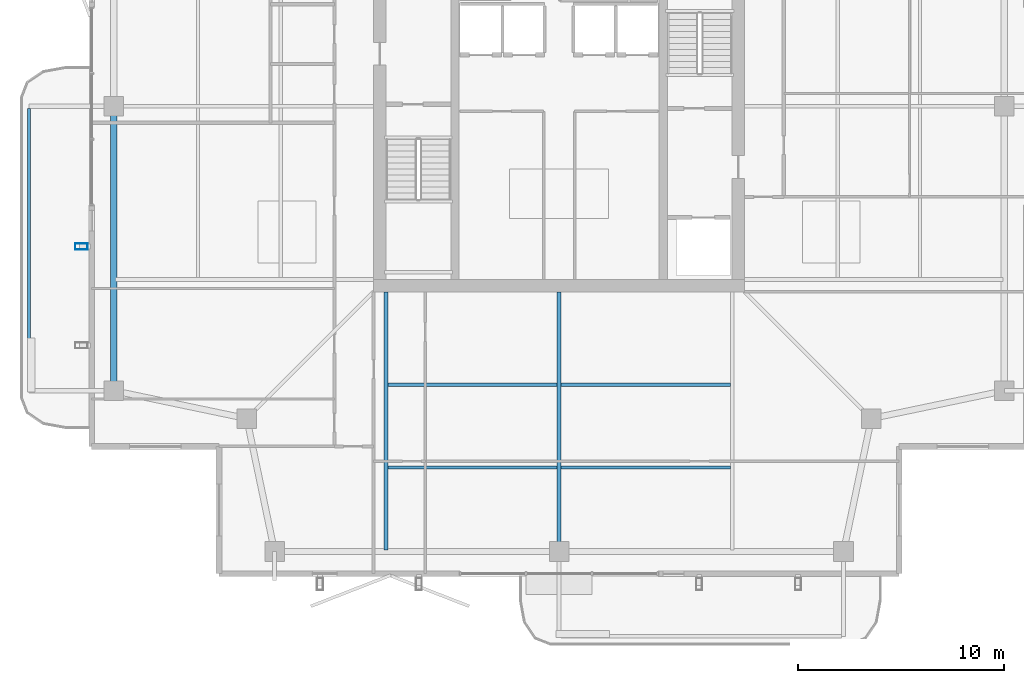
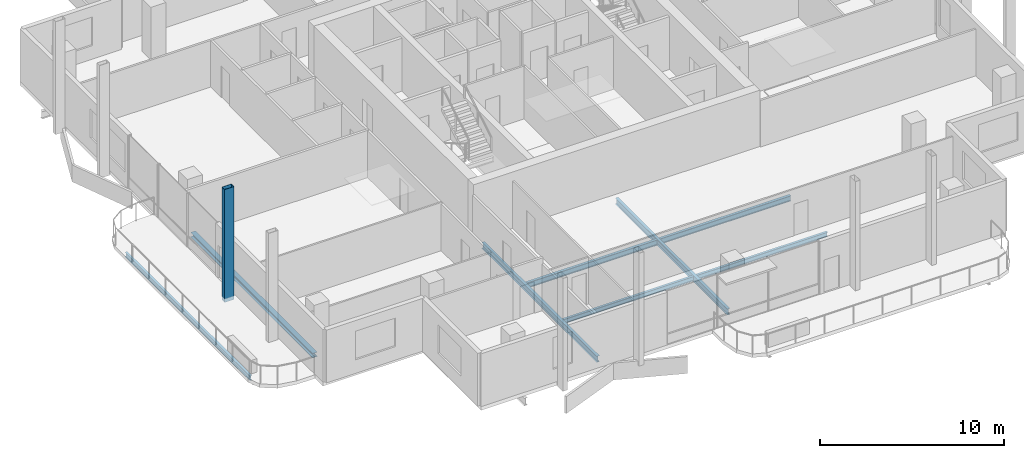
# One storey, part 5 of 20: 8 beams, 1 member.
"""IFC4 building model written with IfcOpenShell, lengths in metres."""

import ifcopenshell
import ifcopenshell.guid

model = None  # the IFC model being written
_history = None  # IfcOwnerHistory: only IFC2X3 demands one
_inside = {}  # id of a spatial element -> (the spatial element, [elements in it])
_under = {}  # id of a project, library or spatial element -> (it, [spatial elements below it])
_declared = {}  # id of a project -> (the project, [libraries it declares])
_typed = {}  # id of a type object -> (the type object, [elements of that type])
_made_of = {}  # id of a material, layer set ... -> (it, [elements and type objects made of it])


def new_model(schema):
    """Start an empty IFC model of exactly this schema.

    Asked for "IFC4X3", IfcOpenShell would pick the latest addendum, in which some entities
    have other attributes; the version numbers below select the first issue.
    IFC2X3 requires an IfcOwnerHistory on every rooted entity: one is made here for all.
    """
    global model, _history
    if schema == "IFC4X3":
        model = ifcopenshell.file(schema_version=(4, 3, 0, 0))
    else:
        model = ifcopenshell.file(schema=schema)
    _inside.clear()
    _under.clear()
    _declared.clear()
    _typed.clear()
    _made_of.clear()
    _history = None
    if model.schema == "IFC2X3":
        org = make("IfcOrganization", Name="unknown")
        user = make(
            "IfcPersonAndOrganization",
            ThePerson=make("IfcPerson", FamilyName="unknown"),
            TheOrganization=org,
        )
        app = make(
            "IfcApplication",
            ApplicationDeveloper=org,
            Version="unknown",
            ApplicationFullName="unknown",
            ApplicationIdentifier="unknown",
        )
        _history = make(
            "IfcOwnerHistory",
            OwningUser=user,
            OwningApplication=app,
            ChangeAction="ADDED",
            CreationDate=0,
        )
    return model


def make(cls, **values):
    """One entity of the class cls with the attributes given. An attribute that is None is left unset."""
    return model.create_entity(
        cls, **{name: value for name, value in values.items() if value is not None}
    )


def rooted(cls, **values):
    """An entity with a GlobalId (a new one), such as an element, a storey or a relation."""
    return make(cls, GlobalId=ifcopenshell.guid.new(), OwnerHistory=_history, **values)


def si_unit(unit_type, name, prefix=None):
    """IfcSIUnit, for example si_unit("LENGTHUNIT", "METRE", prefix="MILLI")."""
    return make("IfcSIUnit", UnitType=unit_type, Prefix=prefix, Name=name)


def assignment(units):
    """IfcUnitAssignment: the units of a project."""
    return None if units is None else make("IfcUnitAssignment", Units=units)


def point(xyz):
    """IfcCartesianPoint."""
    return None if xyz is None else make("IfcCartesianPoint", Coordinates=xyz)


def direction(xyz):
    """IfcDirection."""
    return None if xyz is None else make("IfcDirection", DirectionRatios=xyz)


def frame(location, z_axis=None, x_axis=None):
    """IfcAxis2Placement3D, a coordinate frame: its origin and axes. An axis left out is left unset."""
    return make(
        "IfcAxis2Placement3D",
        Location=point(location),
        Axis=direction(z_axis),
        RefDirection=direction(x_axis),
    )


def frame_2d(location, x_axis=None):
    """IfcAxis2Placement2D, a coordinate frame in the plane: its origin and x axis."""
    return make(
        "IfcAxis2Placement2D", Location=point(location), RefDirection=direction(x_axis)
    )


def origin():
    """The frame at (0, 0, 0) with its axes left unset."""
    return frame((0.0, 0.0, 0.0))


def origin_2d():
    """The frame at (0, 0) in the plane with its x axis left unset."""
    return frame_2d((0.0, 0.0))


def place(relative_to, where):
    """IfcLocalPlacement: puts the frame where relative to a parent placement (None: the world)."""
    return make(
        "IfcLocalPlacement", PlacementRelTo=relative_to, RelativePlacement=where
    )


def context(
    kind, dimensions, precision=None, world=None, true_north=None, identifier=None
):
    """IfcGeometricRepresentationContext, for example the 3D "Model" context."""
    return make(
        "IfcGeometricRepresentationContext",
        ContextIdentifier=identifier,
        ContextType=kind,
        CoordinateSpaceDimension=dimensions,
        Precision=precision,
        WorldCoordinateSystem=world,
        TrueNorth=true_north,
    )


def subcontext(parent, identifier, kind, view, scale=None):
    """IfcGeometricRepresentationSubContext, for example "Body" below "Model"."""
    return make(
        "IfcGeometricRepresentationSubContext",
        ContextIdentifier=identifier,
        ContextType=kind,
        ParentContext=parent,
        TargetScale=scale,
        TargetView=view,
    )


def project(units=None, contexts=None):
    """IfcProject with its units and contexts."""
    return rooted(
        "IfcProject",
        Name="project",
        RepresentationContexts=contexts,
        UnitsInContext=assignment(units),
    )


def spatial(cls, under=None, at=None, **own):
    """A site, building, storey or space (cls), placed at a placement, below another one or the project."""
    s = rooted(cls, ObjectPlacement=at, **own)
    if under is not None:
        _under.setdefault(under.id(), (under, []))[1].append(s)
    return s


def profile(cls, at=None, kind="AREA", **sizes):
    """A parametric profile (cls). Its sizes go by their IFC names, for example OverallWidth=200.0."""
    return make(cls, ProfileType=kind, Position=at, **sizes)


def hollow_rectangle(**sizes):
    """IfcRectangleHollowProfileDef."""
    return profile("IfcRectangleHollowProfileDef", **sizes)


def i_section(**sizes):
    """IfcIShapeProfileDef."""
    return profile("IfcIShapeProfileDef", **sizes)


def extrude(swept, where, along, depth):
    """IfcExtrudedAreaSolid: the profile swept, set in the frame where, extruded along a direction by depth."""
    return make(
        "IfcExtrudedAreaSolid",
        SweptArea=swept,
        Position=where,
        ExtrudedDirection=direction(along),
        Depth=depth,
    )


def shape(context_of_items, identifier, shape_type, items):
    """IfcShapeRepresentation: the items that make up one representation, for example the "Body"."""
    return make(
        "IfcShapeRepresentation",
        ContextOfItems=context_of_items,
        RepresentationIdentifier=identifier,
        RepresentationType=shape_type,
        Items=items,
    )


def material(Name=None, Category=None):
    """IfcMaterial."""
    return make("IfcMaterial", Name=Name, Category=Category)


def material_profile(
    of_material, cross_section, Name=None, Category=None, Priority=None
):
    """IfcMaterialProfile: a cross section and its material."""
    return make(
        "IfcMaterialProfile",
        Name=Name,
        Material=of_material,
        Profile=cross_section,
        Priority=Priority,
        Category=Category,
    )


def profile_set(profiles, Name=None, composite=None):
    """IfcMaterialProfileSet."""
    return make(
        "IfcMaterialProfileSet",
        Name=Name,
        MaterialProfiles=profiles,
        CompositeProfile=composite,
    )


def made_of(thing, what):
    """Note that an element or type object is made of a material, layer set ...; save() writes the relation."""
    if what is not None:
        _made_of.setdefault(what.id(), (what, []))[1].append(thing)
    return thing


def type_object(cls, material=None, **own):
    """A type object (cls), such as IfcWallType, which elements share."""
    return made_of(rooted(cls, **own), material)


def element(
    cls,
    number,
    at=None,
    inside=None,
    cuts=None,
    type_object=None,
    material=None,
    context=None,
    identifier="Body",
    shape_type=None,
    held_by="IfcProductDefinitionShape",
    body=None,
    shapes=None,
    **own,
):
    """One element of the class cls, such as IfcWall. Its Tag is "e" and its number.

    at: its placement. inside: the storey or other place that contains it. cuts: it is an
    opening in that element (IfcRelVoidsElement). A single representation is given by context,
    identifier, shape_type and body (its items); several are given by shapes. held_by: the class
    of the entity that holds the representations. save() writes the other relations.
    """
    e = rooted(cls, Tag="e%d" % number, ObjectPlacement=at, **own)
    if body is not None:
        shapes = [shape(context, identifier, shape_type, body)]
    if shapes is not None:
        e.Representation = make(held_by, Representations=shapes)
    if inside is not None:
        _inside.setdefault(inside.id(), (inside, []))[1].append(e)
    if cuts is not None:
        rooted(
            "IfcRelVoidsElement", RelatingBuildingElement=cuts, RelatedOpeningElement=e
        )
    if type_object is not None:
        _typed.setdefault(type_object.id(), (type_object, []))[1].append(e)
    return made_of(e, material)


def aggregate(whole, parts):
    """IfcRelAggregates: a whole, such as a stair, and the parts it consists of."""
    return rooted("IfcRelAggregates", RelatingObject=whole, RelatedObjects=parts)


def save(model, path):
    """Write the relations noted so far, then the file.

    IfcRelAggregates (storeys below a building ...), IfcRelContainedInSpatialStructure (elements
    in a storey), IfcRelDefinesByType, IfcRelAssociatesMaterial and IfcRelDeclares: one each for
    every whole, place, type object, material and project.
    """
    for whole, parts in _under.values():
        aggregate(whole, parts)
    for where, things in _inside.values():
        rooted(
            "IfcRelContainedInSpatialStructure",
            RelatedElements=things,
            RelatingStructure=where,
        )
    for kind, things in _typed.values():
        rooted("IfcRelDefinesByType", RelatedObjects=things, RelatingType=kind)
    for what, things in _made_of.values():
        rooted("IfcRelAssociatesMaterial", RelatedObjects=things, RelatingMaterial=what)
    for by, libraries in _declared.values():
        rooted("IfcRelDeclares", RelatingContext=by, RelatedDefinitions=libraries)
    model.write(path)


model = new_model("IFC4")

# Units and contexts
model_context = context("Model", 3, precision=1e-05, world=origin(), true_north=direction((0.0, 1.0)))
body_context = subcontext(model_context, "Body", "Model", "MODEL_VIEW")
ifc_project = project(units=[si_unit("LENGTHUNIT", "METRE"), si_unit("AREAUNIT", "SQUARE_METRE"), si_unit("VOLUMEUNIT", "CUBIC_METRE"), si_unit("PLANEANGLEUNIT", "RADIAN"), si_unit("MASSUNIT", "GRAM", prefix="KILO")], contexts=[model_context])

# Site, building, storey
site_placement = place(None, origin())
site = spatial("IfcSite", under=ifc_project, at=site_placement, CompositionType="ELEMENT")
building_placement = place(site_placement, origin())
building = spatial("IfcBuilding", under=site, at=building_placement, Name="Belovzor Exchange Tower", CompositionType="ELEMENT")
storey_placement = place(building_placement, frame((0.0, 0.0, 306.75)))
storey = spatial("IfcBuildingStorey", under=building, at=storey_placement, Name="L76", CompositionType="ELEMENT", Elevation=306.75)

# Beams
ifc_material_1 = material(Name="Steel S355", Category="steel")
ifc_material_profile_1 = material_profile(ifc_material_1, i_section(OverallWidth=0.14990234375, OverallDepth=0.300048828125, WebThickness=0.007080078125, FlangeThickness=0.0107421875, at=origin_2d()))
ifc_profile_set_1 = profile_set([ifc_material_profile_1], Name="Steel S355")
beam_type_1 = type_object("IfcBeamType", Name="Planted Balcony Fascia Edge Beam IPE 300", PredefinedType="BEAM", material=ifc_profile_set_1)
beam_1_placement = place(storey_placement, frame((3.089111328125, 28.699951171875, -0.389892578125), z_axis=(0.0, -1.0, 0.0), x_axis=(1.0, 0.0, 0.0)))
element("IfcBeam", 1, at=beam_1_placement, inside=storey, type_object=beam_type_1, Name="BC-300 Planted Balcony Fascia Edge Beam IPE 300", PredefinedType="BEAM", context=body_context, shape_type="SweptSolid", body=[
    extrude(i_section(OverallWidth=0.14990234375, OverallDepth=0.300048828125, WebThickness=0.007080078125, FlangeThickness=0.0107421875, at=origin_2d()), origin(), (0.0, 0.0, 1.0), 13.599853515625),
])
ifc_material_2 = material(Name="Steel S355", Category="steel")
ifc_material_profile_2 = material_profile(ifc_material_2, i_section(OverallWidth=0.169921875, OverallDepth=0.360107421875, WebThickness=0.008056640625, FlangeThickness=0.0126953125, at=origin_2d()))
ifc_profile_set_2 = profile_set([ifc_material_profile_2], Name="Steel S355")
beam_type_2 = type_object("IfcBeamType", Name="Secondary Infill Floor Joist IPE 360", PredefinedType="BEAM", material=ifc_profile_set_2)
beam_2_placement = place(storey_placement, frame((20.489990234375, 15.291015625, -0.419921875), z_axis=(1.0, 0.0, 0.0), x_axis=(0.0, 1.0, 0.0)))
element("IfcBeam", 2, at=beam_2_placement, inside=storey, type_object=beam_type_2, Name="FJ-360 Secondary Infill Floor Joist IPE 360", PredefinedType="BEAM", context=body_context, shape_type="SweptSolid", body=[
    extrude(i_section(OverallWidth=0.169921875, OverallDepth=0.360107421875, WebThickness=0.008056640625, FlangeThickness=0.0126953125, at=origin_2d()), origin(), (0.0, 0.0, 1.0), 8.219970703125),
])
beam_3_placement = place(storey_placement, frame((28.889892578125, 15.291015625, -0.419921875), z_axis=(1.0, 0.0, 0.0), x_axis=(0.0, 1.0, 0.0)))
element("IfcBeam", 3, at=beam_3_placement, inside=storey, type_object=beam_type_2, Name="FJ-360 Secondary Infill Floor Joist IPE 360", PredefinedType="BEAM", context=body_context, shape_type="SweptSolid", body=[
    extrude(i_section(OverallWidth=0.169921875, OverallDepth=0.360107421875, WebThickness=0.008056640625, FlangeThickness=0.0126953125, at=origin_2d()), origin(), (0.0, 0.0, 1.0), 8.22021484375),
])
ifc_material_3 = material(Name="Steel S355", Category="steel")
ifc_material_profile_3 = material_profile(ifc_material_3, i_section(OverallWidth=0.14990234375, OverallDepth=0.300048828125, WebThickness=0.007080078125, FlangeThickness=0.0107421875, at=origin_2d()))
ifc_profile_set_3 = profile_set([ifc_material_profile_3], Name="Steel S355")
beam_type_3 = type_object("IfcBeamType", Name="Secondary Trim Floor Joist IPE 300", PredefinedType="BEAM", material=ifc_profile_set_3)
beam_4_placement = place(storey_placement, frame((20.489990234375, 11.282958984375, -0.389892578125), z_axis=(1.0, 0.0, 0.0), x_axis=(0.0, 1.0, 0.0)))
element("IfcBeam", 4, at=beam_4_placement, inside=storey, type_object=beam_type_3, Name="FJ-300 Secondary Trim Floor Joist IPE 300", PredefinedType="BEAM", context=body_context, shape_type="SweptSolid", body=[
    extrude(i_section(OverallWidth=0.14990234375, OverallDepth=0.300048828125, WebThickness=0.007080078125, FlangeThickness=0.0107421875, at=origin_2d()), origin(), (0.0, 0.0, 1.0), 8.219970703125),
])
beam_5_placement = place(storey_placement, frame((28.889892578125, 11.282958984375, -0.389892578125), z_axis=(1.0, 0.0, 0.0), x_axis=(0.0, 1.0, 0.0)))
element("IfcBeam", 5, at=beam_5_placement, inside=storey, type_object=beam_type_3, Name="FJ-300 Secondary Trim Floor Joist IPE 300", PredefinedType="BEAM", context=body_context, shape_type="SweptSolid", body=[
    extrude(i_section(OverallWidth=0.14990234375, OverallDepth=0.300048828125, WebThickness=0.007080078125, FlangeThickness=0.0107421875, at=origin_2d()), origin(), (0.0, 0.0, 1.0), 8.22021484375),
])

# Member
ifc_material_4 = material(Name="Extruded Architectural Terracotta on Steel S355 Carrier", Category="masonry")
ifc_material_profile_4 = material_profile(ifc_material_4, hollow_rectangle(XDim=0.300048828125, YDim=0.60009765625, WallThickness=0.01611328125, at=origin_2d()))
ifc_profile_set_4 = profile_set([ifc_material_profile_4], Name="Extruded Architectural Terracotta on Steel S355 Carrier")
member_type = type_object("IfcMemberType", Name="Upper Crown Terracotta Fin Assembly 550", PredefinedType="USERDEFINED", material=ifc_profile_set_4)
member_placement = place(storey_placement, frame((5.625, 22.0, -0.239990234375), z_axis=(0.0, 0.0, 1.0), x_axis=(0.0, 1.0, 0.0)))
element("IfcMember", 6, at=member_placement, inside=storey, type_object=member_type, Name="FIN-TC055 Terracotta Facade Fin L76 W2", ObjectType="FIN", PredefinedType="USERDEFINED", context=body_context, shape_type="SweptSolid", body=[
    extrude(hollow_rectangle(XDim=0.300048828125, YDim=0.60009765625, WallThickness=0.01611328125, at=origin_2d()), origin(), (0.0, 0.0, 1.0), 7.5),
])

# Beams
ifc_material_5 = material(Name="Steel S355", Category="steel")
ifc_material_profile_5 = material_profile(ifc_material_5, i_section(OverallWidth=0.179931640625, OverallDepth=0.39990234375, WebThickness=0.008544921875, FlangeThickness=0.013427734375, at=origin_2d()))
ifc_profile_set_5 = profile_set([ifc_material_profile_5], Name="Steel S355")
beam_type_4 = type_object("IfcBeamType", Name="Zone 5-6 Radial Composite Floor Beam IPE 400", PredefinedType="BEAM", material=ifc_profile_set_5)
beam_6_placement = place(storey_placement, frame((20.39990234375, 19.800048828125, -0.43994140625), z_axis=(0.0, -1.0, 0.0), x_axis=(1.0, 0.0, 0.0)))
element("IfcBeam", 7, at=beam_6_placement, inside=storey, type_object=beam_type_4, Name="FB-400 Zone 5-6 Radial Composite Floor Beam IPE 400", PredefinedType="BEAM", context=body_context, shape_type="SweptSolid", body=[
    extrude(i_section(OverallWidth=0.179931640625, OverallDepth=0.39990234375, WebThickness=0.008544921875, FlangeThickness=0.013427734375, at=origin_2d()), origin(), (0.0, 0.0, 1.0), 12.525146484375),
])
beam_7_placement = place(storey_placement, frame((28.800048828125, 19.800048828125, -0.43994140625), z_axis=(0.0, -1.0, 0.0), x_axis=(1.0, 0.0, 0.0)))
element("IfcBeam", 8, at=beam_7_placement, inside=storey, type_object=beam_type_4, Name="FB-400 Zone 5-6 Radial Composite Floor Beam IPE 400", PredefinedType="BEAM", context=body_context, shape_type="SweptSolid", body=[
    extrude(i_section(OverallWidth=0.179931640625, OverallDepth=0.39990234375, WebThickness=0.008544921875, FlangeThickness=0.013427734375, at=origin_2d()), origin(), (0.0, 0.0, 1.0), 12.18212890625),
])
ifc_material_6 = material(Name="Steel S355", Category="steel")
ifc_material_profile_6 = material_profile(ifc_material_6, i_section(OverallWidth=0.300048828125, OverallDepth=0.300048828125, WebThickness=0.008544921875, FlangeThickness=0.013916015625, at=origin_2d()))
ifc_profile_set_6 = profile_set([ifc_material_profile_6], Name="Steel S355")
beam_type_5 = type_object("IfcBeamType", Name="Zone 6 Primary Girder HEA 300", PredefinedType="BEAM", material=ifc_profile_set_6)
beam_8_placement = place(storey_placement, frame((7.199951171875, 28.5390625, -0.389892578125), z_axis=(0.0, -1.0, 0.0), x_axis=(1.0, 0.0, 0.0)))
element("IfcBeam", 9, at=beam_8_placement, inside=storey, type_object=beam_type_5, Name="FG-Z6 Zone 6 Primary Girder HEA 300", PredefinedType="BEAM", context=body_context, shape_type="SweptSolid", body=[
    extrude(i_section(OverallWidth=0.300048828125, OverallDepth=0.300048828125, WebThickness=0.008544921875, FlangeThickness=0.013916015625, at=origin_2d()), origin(), (0.0, 0.0, 1.0), 13.278076171875),
])

save(model, "model.ifc")
